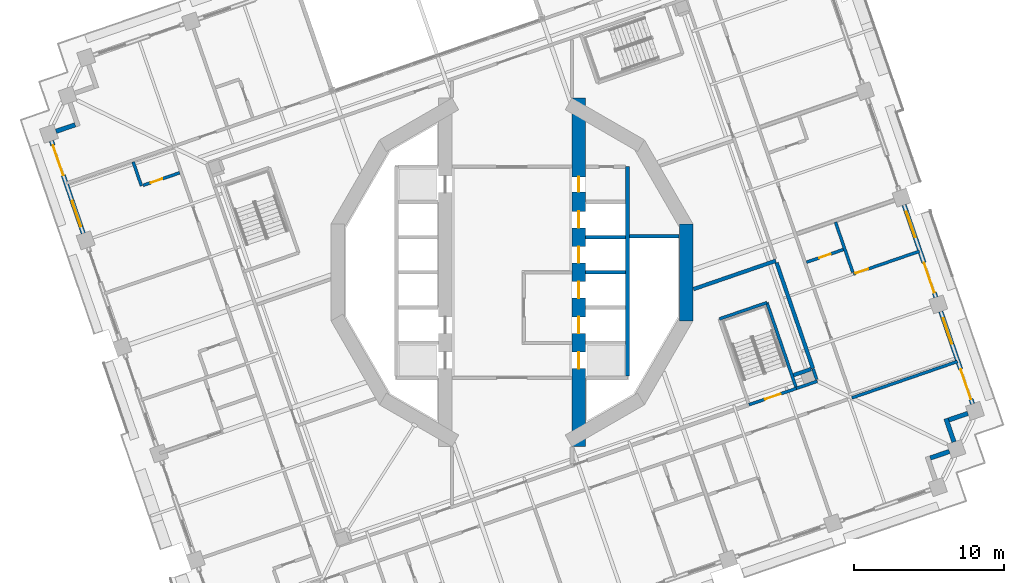
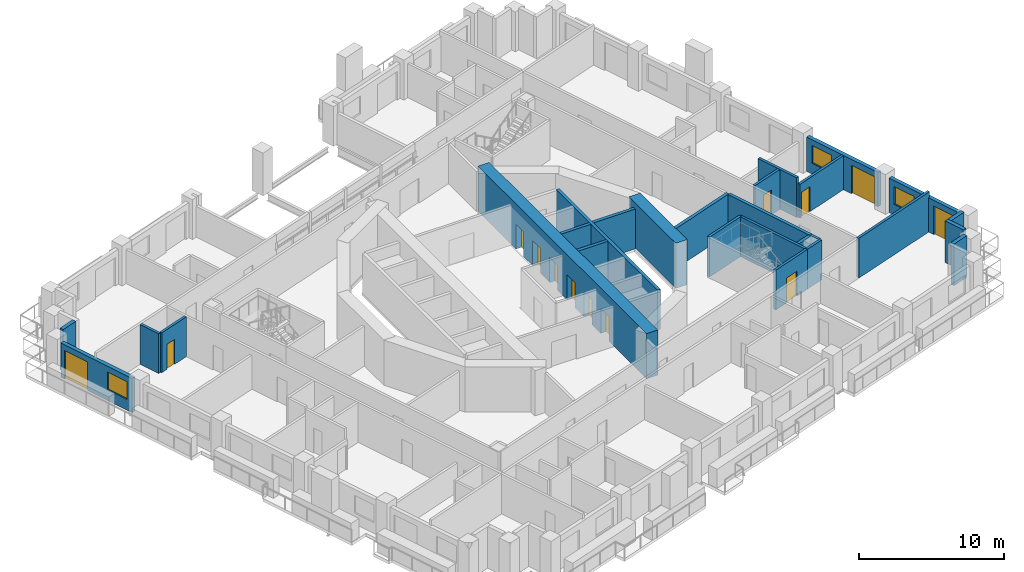
# One storey, part 10 of 22: 27 walls, 13 doors, 3 windows, 16 openings.
"""IFC4 building model written with IfcOpenShell, lengths in metres."""

from ifc_helpers import new_model, si_unit, direction, frame, frame_2d, origin, place, context, subcontext, project, spatial, rectangle, extrude, material, layer, layer_set, type_object, element, fill, save


model = new_model("IFC4")

# Units and contexts
model_context = context("Model", 3, precision=1e-05, world=origin(), true_north=direction((0.0, 1.0)))
body_context = subcontext(model_context, "Body", "Model", "MODEL_VIEW")
ifc_project = project(units=[si_unit("LENGTHUNIT", "METRE"), si_unit("AREAUNIT", "SQUARE_METRE"), si_unit("VOLUMEUNIT", "CUBIC_METRE"), si_unit("PLANEANGLEUNIT", "RADIAN"), si_unit("MASSUNIT", "GRAM", prefix="KILO")], contexts=[model_context])

# Site, building, storey
site_placement = place(None, origin())
site = spatial("IfcSite", under=ifc_project, at=site_placement, CompositionType="ELEMENT")
building_placement = place(site_placement, origin())
building = spatial("IfcBuilding", under=site, at=building_placement, Name="Cantera Rosa Tower", CompositionType="ELEMENT")
storey_placement = place(building_placement, frame((0.0, 0.0, 138.300048828125)))
storey = spatial("IfcBuildingStorey", under=building, at=storey_placement, Name="L29", CompositionType="ELEMENT", Elevation=138.300048828125)

# Walls
ifc_material_1 = material(Name="Gypsum board partition")
ifc_layer_1 = layer(ifc_material_1, 0.199951171875)
ifc_layer_set_1 = layer_set([ifc_layer_1], Name="CORRIDOR WALL 200 H3350")
wall_type_1 = type_object("IfcWallType", Name="CORRIDOR WALL 200 H3350", PredefinedType="PARTITIONING", material=ifc_layer_set_1)
wall_1_placement = place(storey_placement, frame((18.978271484375, -7.7431640625, 0.0), z_axis=(0.0, 0.0, 1.0), x_axis=(0.945529243519, 0.32553717092, 0.0)))
element("IfcWall", 1, at=wall_1_placement, inside=storey, type_object=wall_type_1, Name="CORRIDOR WALL L29-107", PredefinedType="PARTITIONING", context=body_context, shape_type="SweptSolid", body=[
    extrude(rectangle(XDim=1.4765625, YDim=0.199951171875, at=frame_2d((0.73828125, 0.0))), origin(), (0.0, 0.0, 1.0), 3.349853515625),
])
wall_2_placement = place(storey_placement, frame((20.33544921875, -7.14892578125, 0.0), z_axis=(0.0, 0.0, 1.0), x_axis=(-0.32575306004, 0.945454887276, 0.0)))
element("IfcWall", 2, at=wall_2_placement, inside=storey, type_object=wall_type_1, Name="CORRIDOR WALL L29-112", PredefinedType="PARTITIONING", context=body_context, shape_type="SweptSolid", body=[
    extrude(rectangle(XDim=0.760009765625, YDim=0.199951171875, at=frame_2d((0.3798828125, 0.0))), origin(), (0.0, 0.0, 1.0), 3.349853515625),
])
ifc_material_2 = material(Name="Hollow clay masonry with cantera stone cladding", Category="masonry")
ifc_layer_2 = layer(ifc_material_2, 0.300048828125)
ifc_layer_set_2 = layer_set([ifc_layer_2], Name="EW-LOGGIA 300")
wall_type_2 = type_object("IfcWallType", Name="EW-LOGGIA 300", PredefinedType="SOLIDWALL", material=ifc_layer_set_2)
wall_3_placement = place(storey_placement, frame((-29.14404296875, 9.84814453125, 0.0), z_axis=(0.0, 0.0, 1.0), x_axis=(-0.945526634763, -0.325544748006, 0.0)))
element("IfcWall", 3, at=wall_3_placement, inside=storey, type_object=wall_type_2, Name="EN-L29-W15b", PredefinedType="SOLIDWALL", context=body_context, shape_type="SweptSolid", body=[
    extrude(rectangle(XDim=1.349853515625, YDim=0.300048828125, at=frame_2d((0.6748046875, 0.0))), origin(), (0.0, 0.0, 1.0), 3.5),
])
wall_4_placement = place(storey_placement, frame((27.904052734375, -12.390380859375, 0.0), z_axis=(0.0, 0.0, 1.0), x_axis=(0.945545797087, 0.325489086777, 0.0)))
element("IfcWall", 4, at=wall_4_placement, inside=storey, type_object=wall_type_2, Name="EN-L29-W29b", PredefinedType="SOLIDWALL", context=body_context, shape_type="SweptSolid", body=[
    extrude(rectangle(XDim=1.35009765625, YDim=0.300048828125, at=frame_2d((0.675048828125, 0.0))), origin(), (0.0, 0.0, 1.0), 3.5),
])
wall_5_placement = place(storey_placement, frame((29.490478515625, -11.315185546875, 0.0), z_axis=(0.0, 0.0, 1.0), x_axis=(-0.32553462645, 0.945530119553, 0.0)))
element("IfcWall", 5, at=wall_5_placement, inside=storey, type_object=wall_type_2, Name="EN-L29-W30a", PredefinedType="SOLIDWALL", context=body_context, shape_type="SweptSolid", body=[
    extrude(rectangle(XDim=1.64990234375, YDim=0.300048828125, at=frame_2d((0.824951171875, 0.0))), origin(), (0.0, 0.0, 1.0), 3.5),
])
wall_6_placement = place(storey_placement, frame((29.14404296875, -9.84814453125, 0.0), z_axis=(0.0, 0.0, 1.0), x_axis=(0.945526634763, 0.325544748006, 0.0)))
element("IfcWall", 6, at=wall_6_placement, inside=storey, type_object=wall_type_2, Name="EN-L29-W30b", PredefinedType="SOLIDWALL", context=body_context, shape_type="SweptSolid", body=[
    extrude(rectangle(XDim=1.349853515625, YDim=0.300048828125, at=frame_2d((0.6748046875, 0.0))), origin(), (0.0, 0.0, 1.0), 3.5),
])

# Wall, openings, window, door
ifc_material_3 = material(Name="Hollow clay masonry with cantera stone cladding", Category="masonry")
ifc_layer_3 = layer(ifc_material_3, 0.300048828125)
ifc_layer_set_3 = layer_set([ifc_layer_3], Name="EW-LOGGIA 300 H2890")
wall_type_3 = type_object("IfcWallType", Name="EW-LOGGIA 300 H2890", PredefinedType="SOLIDWALL", material=ifc_layer_set_3)
wall_7_placement = place(storey_placement, frame((30.73046875, -8.773193359375, 0.0), z_axis=(0.0, 0.0, 1.0), x_axis=(-0.325580990241, 0.945514155787, 0.0)))
wall_7 = element("IfcWall", 7, at=wall_7_placement, inside=storey, type_object=wall_type_3, Name="EN-L29-W01", PredefinedType="SOLIDWALL", context=body_context, shape_type="SweptSolid", body=[
    extrude(rectangle(XDim=6.52001953125, YDim=0.300048828125, at=frame_2d((3.260009765625, 0.0))), origin(), (0.0, 0.0, 1.0), 2.889892578125),
])
opening_1_placement = place(wall_7_placement, frame((0.330078125, 0.0, 0.0)))
opening_1 = element("IfcOpeningElement", 8, at=opening_1_placement, cuts=wall_7, Name="Opening L29-TD01", PredefinedType="OPENING", context=body_context, shape_type="SweptSolid", body=[
    extrude(rectangle(XDim=2.10009765625, YDim=2.39990234375, at=frame_2d((1.050048828125, 1.199951171875))), frame((0.0, 0.159912109375, 0.0), z_axis=(0.0, -1.0, 0.0), x_axis=(1.0, 0.0, 0.0)), (0.0, 0.0, 1.0), 0.320068359375),
])
opening_2_placement = place(wall_7_placement, frame((4.239990234375, 0.0, 0.89990234375)))
opening_2 = element("IfcOpeningElement", 9, at=opening_2_placement, cuts=wall_7, Name="Opening L29-W02", PredefinedType="OPENING", context=body_context, shape_type="SweptSolid", body=[
    extrude(rectangle(XDim=1.800048828125, YDim=1.5, at=frame_2d((0.89990234375, 0.75))), frame((0.0, 0.159912109375, 0.0), z_axis=(0.0, -1.0, 0.0), x_axis=(1.0, 0.0, 0.0)), (0.0, 0.0, 1.0), 0.320068359375),
])
ifc_material_4 = material(Name="Aluminium frame with clear glass", Category="aluminium")
window_type = type_object("IfcWindowType", Name="Hotel room window 1800x1500", PartitioningType="DOUBLE_PANEL_VERTICAL", PredefinedType="WINDOW", material=ifc_material_4)
window_1_placement = place(opening_2_placement, origin())
window_1 = element("IfcWindow", 10, at=window_1_placement, inside=storey, type_object=window_type, Name="WINDOW L29-W02", OverallHeight=1.5, OverallWidth=1.800048828125, PartitioningType="SINGLE_PANEL", PredefinedType="WINDOW", context=body_context, shape_type="SweptSolid", body=[
    extrude(rectangle(XDim=1.800048828125, YDim=1.5, at=frame_2d((0.89990234375, 0.75))), frame((0.0, 0.030029296875, 0.0), z_axis=(0.0, -1.0, 0.0), x_axis=(1.0, 0.0, 0.0)), (0.0, 0.0, 1.0), 0.06005859375),
])
fill(opening_2, window_1)
ifc_material_5 = material(Name="Aluminium frame with clear glass", Category="aluminium")
door_type_1 = type_object("IfcDoorType", Name="TD-H 2100x2400", OperationType="NOTDEFINED", PredefinedType="DOOR", material=ifc_material_5)
door_1_placement = place(opening_1_placement, origin())
door_1 = element("IfcDoor", 11, at=door_1_placement, inside=storey, type_object=door_type_1, Name="LOGGIA DOOR L29-TD01", OperationType="SLIDING_TO_LEFT", OverallHeight=2.39990234375, OverallWidth=2.10009765625, PredefinedType="DOOR", context=body_context, shape_type="SweptSolid", body=[
    extrude(rectangle(XDim=2.10009765625, YDim=2.39990234375, at=frame_2d((1.050048828125, 1.199951171875))), frame((0.0, 0.02490234375, 0.0), z_axis=(0.0, -1.0, 0.0), x_axis=(1.0, 0.0, 0.0)), (0.0, 0.0, 1.0), 0.050048828125),
])
fill(opening_1, door_1)

wall_8_placement = place(storey_placement, frame((28.2822265625, -1.662841796875, 0.0), z_axis=(0.0, 0.0, 1.0), x_axis=(-0.325580990241, 0.945514155787, 0.0)))
wall_8 = element("IfcWall", 12, at=wall_8_placement, inside=storey, type_object=wall_type_3, Name="EN-L29-W02", PredefinedType="SOLIDWALL", context=body_context, shape_type="SweptSolid", body=[
    extrude(rectangle(XDim=6.52001953125, YDim=0.300048828125, at=frame_2d((3.260009765625, 0.0))), origin(), (0.0, 0.0, 1.0), 2.889892578125),
])
opening_3_placement = place(wall_8_placement, frame((0.330078125, 0.0, 0.0)))
opening_3 = element("IfcOpeningElement", 13, at=opening_3_placement, cuts=wall_8, Name="Opening L29-TD03", PredefinedType="OPENING", context=body_context, shape_type="SweptSolid", body=[
    extrude(rectangle(XDim=2.10009765625, YDim=2.39990234375, at=frame_2d((1.050048828125, 1.199951171875))), frame((0.0, 0.159912109375, 0.0), z_axis=(0.0, -1.0, 0.0), x_axis=(1.0, 0.0, 0.0)), (0.0, 0.0, 1.0), 0.320068359375),
])
opening_4_placement = place(wall_8_placement, frame((4.239990234375, 0.0, 0.89990234375)))
opening_4 = element("IfcOpeningElement", 14, at=opening_4_placement, cuts=wall_8, Name="Opening L29-W04", PredefinedType="OPENING", context=body_context, shape_type="SweptSolid", body=[
    extrude(rectangle(XDim=1.800048828125, YDim=1.5, at=frame_2d((0.89990234375, 0.75))), frame((0.0, 0.159912109375, 0.0), z_axis=(0.0, -1.0, 0.0), x_axis=(1.0, 0.0, 0.0)), (0.0, 0.0, 1.0), 0.320068359375),
])
window_2_placement = place(opening_4_placement, origin())
window_2 = element("IfcWindow", 15, at=window_2_placement, inside=storey, type_object=window_type, Name="WINDOW L29-W04", OverallHeight=1.5, OverallWidth=1.800048828125, PartitioningType="SINGLE_PANEL", PredefinedType="WINDOW", context=body_context, shape_type="SweptSolid", body=[
    extrude(rectangle(XDim=1.800048828125, YDim=1.5, at=frame_2d((0.89990234375, 0.75))), frame((0.0, 0.030029296875, 0.0), z_axis=(0.0, -1.0, 0.0), x_axis=(1.0, 0.0, 0.0)), (0.0, 0.0, 1.0), 0.06005859375),
])
fill(opening_4, window_2)
door_2_placement = place(opening_3_placement, origin())
door_2 = element("IfcDoor", 16, at=door_2_placement, inside=storey, type_object=door_type_1, Name="LOGGIA DOOR L29-TD03", OperationType="SLIDING_TO_LEFT", OverallHeight=2.39990234375, OverallWidth=2.10009765625, PredefinedType="DOOR", context=body_context, shape_type="SweptSolid", body=[
    extrude(rectangle(XDim=2.10009765625, YDim=2.39990234375, at=frame_2d((1.050048828125, 1.199951171875))), frame((0.0, 0.02490234375, 0.0), z_axis=(0.0, -1.0, 0.0), x_axis=(1.0, 0.0, 0.0)), (0.0, 0.0, 1.0), 0.050048828125),
])
fill(opening_3, door_2)

wall_9_placement = place(storey_placement, frame((-30.73046875, 8.773193359375, 0.0), z_axis=(0.0, 0.0, 1.0), x_axis=(0.325580990241, -0.945514155787, 0.0)))
wall_9 = element("IfcWall", 17, at=wall_9_placement, inside=storey, type_object=wall_type_3, Name="EN-L29-W16", PredefinedType="SOLIDWALL", context=body_context, shape_type="SweptSolid", body=[
    extrude(rectangle(XDim=6.52001953125, YDim=0.300048828125, at=frame_2d((3.260009765625, 0.0))), origin(), (0.0, 0.0, 1.0), 2.889892578125),
])
opening_5_placement = place(wall_9_placement, frame((0.330078125, 0.0, 0.0)))
opening_5 = element("IfcOpeningElement", 18, at=opening_5_placement, cuts=wall_9, Name="Opening L29-TD19", PredefinedType="OPENING", context=body_context, shape_type="SweptSolid", body=[
    extrude(rectangle(XDim=2.10009765625, YDim=2.39990234375, at=frame_2d((1.050048828125, 1.199951171875))), frame((0.0, 0.159912109375, 0.0), z_axis=(0.0, -1.0, 0.0), x_axis=(1.0, 0.0, 0.0)), (0.0, 0.0, 1.0), 0.320068359375),
])
opening_6_placement = place(wall_9_placement, frame((4.239990234375, 0.0, 0.89990234375)))
opening_6 = element("IfcOpeningElement", 19, at=opening_6_placement, cuts=wall_9, Name="Opening L29-W20", PredefinedType="OPENING", context=body_context, shape_type="SweptSolid", body=[
    extrude(rectangle(XDim=1.800048828125, YDim=1.5, at=frame_2d((0.89990234375, 0.75))), frame((0.0, 0.159912109375, 0.0), z_axis=(0.0, -1.0, 0.0), x_axis=(1.0, 0.0, 0.0)), (0.0, 0.0, 1.0), 0.320068359375),
])
window_3_placement = place(opening_6_placement, origin())
window_3 = element("IfcWindow", 20, at=window_3_placement, inside=storey, type_object=window_type, Name="WINDOW L29-W20", OverallHeight=1.5, OverallWidth=1.800048828125, PartitioningType="SINGLE_PANEL", PredefinedType="WINDOW", context=body_context, shape_type="SweptSolid", body=[
    extrude(rectangle(XDim=1.800048828125, YDim=1.5, at=frame_2d((0.89990234375, 0.75))), frame((0.0, 0.030029296875, 0.0), z_axis=(0.0, -1.0, 0.0), x_axis=(1.0, 0.0, 0.0)), (0.0, 0.0, 1.0), 0.06005859375),
])
fill(opening_6, window_3)
door_3_placement = place(opening_5_placement, origin())
door_3 = element("IfcDoor", 21, at=door_3_placement, inside=storey, type_object=door_type_1, Name="LOGGIA DOOR L29-TD19", OperationType="SLIDING_TO_LEFT", OverallHeight=2.39990234375, OverallWidth=2.10009765625, PredefinedType="DOOR", context=body_context, shape_type="SweptSolid", body=[
    extrude(rectangle(XDim=2.10009765625, YDim=2.39990234375, at=frame_2d((1.050048828125, 1.199951171875))), frame((0.0, 0.02490234375, 0.0), z_axis=(0.0, -1.0, 0.0), x_axis=(1.0, 0.0, 0.0)), (0.0, 0.0, 1.0), 0.050048828125),
])
fill(opening_5, door_3)

# Wall, opening, door
ifc_material_6 = material(Name="Gypsum board partition")
ifc_layer_4 = layer(ifc_material_6, 0.199951171875)
ifc_layer_set_4 = layer_set([ifc_layer_4], Name="PARTITION 200 H2850")
wall_type_4 = type_object("IfcWallType", Name="PARTITION 200 H2850", PredefinedType="PARTITIONING", material=ifc_layer_set_4)
wall_10_placement = place(storey_placement, frame((27.1923828125, 1.409912109375, 0.0), z_axis=(0.0, 0.0, 1.0), x_axis=(-0.945510677122, -0.325591092398, 0.0)))
wall_10 = element("IfcWall", 22, at=wall_10_placement, inside=storey, type_object=wall_type_4, Name="PARTITION L29-116", PredefinedType="PARTITIONING", context=body_context, shape_type="SweptSolid", body=[
    extrude(rectangle(XDim=4.669921875, YDim=0.199951171875, at=frame_2d((2.3349609375, 0.0))), origin(), (0.0, 0.0, 1.0), 2.849853515625),
])
opening_7_placement = place(wall_10_placement, frame((3.6201171875, 0.0, 0.0)))
opening_7 = element("IfcOpeningElement", 23, at=opening_7_placement, cuts=wall_10, Name="Opening L29-018", PredefinedType="OPENING", context=body_context, shape_type="SweptSolid", body=[
    extrude(rectangle(XDim=0.89990234375, YDim=2.10009765625, at=frame_2d((0.449951171875, 1.050048828125))), frame((0.0, 0.10986328125, 0.0), z_axis=(0.0, -1.0, 0.0), x_axis=(1.0, 0.0, 0.0)), (0.0, 0.0, 1.0), 0.219970703125),
])
ifc_material_7 = material(Name="Timber door leaf", Category="wood")
door_type_2 = type_object("IfcDoorType", Name="ROOM DOOR 900x2100", OperationType="NOTDEFINED", PredefinedType="DOOR", material=ifc_material_7)
door_4_placement = place(opening_7_placement, origin())
door_4 = element("IfcDoor", 24, at=door_4_placement, inside=storey, type_object=door_type_2, Name="DOOR L29-018", OperationType="NOTDEFINED", OverallHeight=2.10009765625, OverallWidth=0.89990234375, PredefinedType="DOOR", context=body_context, shape_type="SweptSolid", body=[
    extrude(rectangle(XDim=0.89990234375, YDim=2.10009765625, at=frame_2d((0.449951171875, 1.050048828125))), frame((0.0, 0.02490234375, 0.0), z_axis=(0.0, -1.0, 0.0), x_axis=(1.0, 0.0, 0.0)), (0.0, 0.0, 1.0), 0.050048828125),
])
fill(opening_7, door_4)

# Wall
ifc_material_8 = material(Name="Gypsum board partition")
ifc_layer_5 = layer(ifc_material_8, 0.199951171875)
ifc_layer_set_5 = layer_set([ifc_layer_5], Name="PARTITION 200 H3350")
wall_type_5 = type_object("IfcWallType", Name="PARTITION 200 H3350", PredefinedType="PARTITIONING", material=ifc_layer_set_5)
wall_11_placement = place(storey_placement, frame((-24.723876953125, 5.764892578125, 0.0), z_axis=(0.0, 0.0, 1.0), x_axis=(-0.325561349174, 0.945520918819, 0.0)))
element("IfcWall", 25, at=wall_11_placement, inside=storey, type_object=wall_type_5, Name="PARTITION L29-001", PredefinedType="PARTITIONING", context=body_context, shape_type="SweptSolid", body=[
    extrude(rectangle(XDim=1.699951171875, YDim=0.199951171875, at=frame_2d((0.85009765625, 0.0))), origin(), (0.0, 0.0, 1.0), 3.349853515625),
])

# Wall, opening, door
wall_12_placement = place(storey_placement, frame((-22.1708984375, 6.643798828125, 0.0), z_axis=(0.0, 0.0, 1.0), x_axis=(-0.945533766078, -0.325524034759, 0.0)))
wall_12 = element("IfcWall", 26, at=wall_12_placement, inside=storey, type_object=wall_type_5, Name="PARTITION L29-004", PredefinedType="PARTITIONING", context=body_context, shape_type="SweptSolid", body=[
    extrude(rectangle(XDim=2.580078125, YDim=0.199951171875, at=frame_2d((1.2900390625, 0.0))), origin(), (0.0, 0.0, 1.0), 3.349853515625),
])
opening_8_placement = place(wall_12_placement, frame((1.236083984375, 0.0, 0.0)))
opening_8 = element("IfcOpeningElement", 27, at=opening_8_placement, cuts=wall_12, Name="Opening L29-031", PredefinedType="OPENING", context=body_context, shape_type="SweptSolid", body=[
    extrude(rectangle(XDim=0.800048828125, YDim=2.10009765625, at=frame_2d((0.39990234375, 1.050048828125))), frame((0.0, 0.10986328125, 0.0), z_axis=(0.0, -1.0, 0.0), x_axis=(1.0, 0.0, 0.0)), (0.0, 0.0, 1.0), 0.219970703125),
])
ifc_material_9 = material(Name="Timber door leaf", Category="wood")
door_type_3 = type_object("IfcDoorType", Name="BATHROOM DOOR 800x2100", OperationType="NOTDEFINED", PredefinedType="DOOR", material=ifc_material_9)
door_5_placement = place(opening_8_placement, origin())
door_5 = element("IfcDoor", 28, at=door_5_placement, inside=storey, type_object=door_type_3, Name="DOOR L29-031", OperationType="NOTDEFINED", OverallHeight=2.10009765625, OverallWidth=0.800048828125, PredefinedType="DOOR", context=body_context, shape_type="SweptSolid", body=[
    extrude(rectangle(XDim=0.800048828125, YDim=2.10009765625, at=frame_2d((0.39990234375, 1.050048828125))), frame((0.0, 0.02490234375, 0.0), z_axis=(0.0, -1.0, 0.0), x_axis=(1.0, 0.0, 0.0)), (0.0, 0.0, 1.0), 0.050048828125),
])
fill(opening_8, door_5)

# Wall
wall_13_placement = place(storey_placement, frame((21.585205078125, 3.35009765625, 0.0), z_axis=(0.0, 0.0, 1.0), x_axis=(0.325584704023, -0.945512876965, 0.0)))
element("IfcWall", 29, at=wall_13_placement, inside=storey, type_object=wall_type_5, Name="PARTITION L29-113", PredefinedType="PARTITIONING", context=body_context, shape_type="SweptSolid", body=[
    extrude(rectangle(XDim=3.5400390625, YDim=0.199951171875, at=frame_2d((1.77001953125, 0.0))), origin(), (0.0, 0.0, 1.0), 3.349853515625),
])

# Wall, opening, door
wall_14_placement = place(storey_placement, frame((22.109375, 1.52099609375, 0.0), z_axis=(0.0, 0.0, 1.0), x_axis=(-0.945529531574, -0.325536334257, 0.0)))
wall_14 = element("IfcWall", 30, at=wall_14_placement, inside=storey, type_object=wall_type_5, Name="PARTITION L29-114", PredefinedType="PARTITIONING", context=body_context, shape_type="SweptSolid", body=[
    extrude(rectangle(XDim=2.60009765625, YDim=0.199951171875, at=frame_2d((1.300048828125, 0.0))), origin(), (0.0, 0.0, 1.0), 3.349853515625),
])
opening_9_placement = place(wall_14_placement, frame((0.89990234375, 0.0, 0.0)))
opening_9 = element("IfcOpeningElement", 31, at=opening_9_placement, cuts=wall_14, Name="Opening L29-017", PredefinedType="OPENING", context=body_context, shape_type="SweptSolid", body=[
    extrude(rectangle(XDim=0.800048828125, YDim=2.10009765625, at=frame_2d((0.39990234375, 1.050048828125))), frame((0.0, 0.10986328125, 0.0), z_axis=(0.0, -1.0, 0.0), x_axis=(1.0, 0.0, 0.0)), (0.0, 0.0, 1.0), 0.219970703125),
])
door_6_placement = place(opening_9_placement, origin())
door_6 = element("IfcDoor", 32, at=door_6_placement, inside=storey, type_object=door_type_3, Name="DOOR L29-017", OperationType="NOTDEFINED", OverallHeight=2.10009765625, OverallWidth=0.800048828125, PredefinedType="DOOR", context=body_context, shape_type="SweptSolid", body=[
    extrude(rectangle(XDim=0.800048828125, YDim=2.10009765625, at=frame_2d((0.39990234375, 1.050048828125))), frame((0.0, 0.02490234375, 0.0), z_axis=(0.0, -1.0, 0.0), x_axis=(1.0, 0.0, 0.0)), (0.0, 0.0, 1.0), 0.050048828125),
])
fill(opening_9, door_6)

# Walls
ifc_material_10 = material(Name="Gypsum board partition")
ifc_layer_6 = layer(ifc_material_10, 0.199951171875)
ifc_layer_set_6 = layer_set([ifc_layer_6], Name="PARTY WALL 200 H3350")
wall_type_6 = type_object("IfcWallType", Name="PARTY WALL 200 H3350", PredefinedType="PARTITIONING", material=ifc_layer_set_6)
wall_15_placement = place(storey_placement, frame((29.725341796875, -5.9462890625, 0.0), z_axis=(0.0, 0.0, 1.0), x_axis=(-0.945513938048, -0.325581622574, 0.0)))
element("IfcWall", 33, at=wall_15_placement, inside=storey, type_object=wall_type_6, Name="PARTY WALL L29-117", PredefinedType="PARTITIONING", context=body_context, shape_type="SweptSolid", body=[
    extrude(rectangle(XDim=7.449951171875, YDim=0.199951171875, at=frame_2d((3.72509765625, 0.0))), origin(), (0.0, 0.0, 1.0), 3.349853515625),
])
ifc_material_11 = material(Name="Concrete C70/85", Category="concrete")
ifc_layer_7 = layer(ifc_material_11, 0.89990234375)
ifc_layer_set_7 = layer_set([ifc_layer_7], Name="RC CORE WALL 900 C70/85")
wall_type_7 = type_object("IfcWallType", Name="RC CORE WALL 900 C70/85", PredefinedType="SHEAR", material=ifc_layer_set_7)
wall_16_placement = place(storey_placement, frame((11.6240234375, 3.2353515625, 0.0), z_axis=(0.0, 0.0, 1.0), x_axis=(0.0, -1.0, 0.0)))
element("IfcWall", 34, at=wall_16_placement, inside=storey, type_object=wall_type_7, Name="CW-E3 L29", PredefinedType="SHEAR", context=body_context, shape_type="SweptSolid", body=[
    extrude(rectangle(XDim=6.470703125, YDim=0.89990234375, at=frame_2d((3.2353515625, 0.0))), origin(), (0.0, 0.0, 1.0), 3.800048828125),
])

# Wall, openings, doors
wall_17_placement = place(storey_placement, frame((4.449951171875, -11.632568359375, 0.0), z_axis=(0.0, 0.0, 1.0), x_axis=(0.0, 1.0, 0.0)))
wall_17 = element("IfcWall", 35, at=wall_17_placement, inside=storey, type_object=wall_type_7, Name="CW-E6 L29", PredefinedType="SHEAR", context=body_context, shape_type="SweptSolid", body=[
    extrude(rectangle(XDim=23.26513671875, YDim=0.89990234375, at=frame_2d((11.632568359375, 0.0))), origin(), (0.0, 0.0, 1.0), 3.800048828125),
])
opening_10_placement = place(wall_17_placement, frame((7.5576171875, 0.0, 0.0)))
opening_10 = element("IfcOpeningElement", 36, at=opening_10_placement, cuts=wall_17, Name="Opening LD-FF1-L29", PredefinedType="OPENING", context=body_context, shape_type="SweptSolid", body=[
    extrude(rectangle(XDim=1.10009765625, YDim=2.10009765625, at=frame_2d((0.550048828125, 1.050048828125))), frame((0.0, 0.4599609375, 0.0), z_axis=(0.0, -1.0, 0.0), x_axis=(1.0, 0.0, 0.0)), (0.0, 0.0, 1.0), 0.919921875),
])
opening_11_placement = place(wall_17_placement, frame((9.907470703125, 0.0, 0.0)))
opening_11 = element("IfcOpeningElement", 37, at=opening_11_placement, cuts=wall_17, Name="Opening LD-FF2-L29", PredefinedType="OPENING", context=body_context, shape_type="SweptSolid", body=[
    extrude(rectangle(XDim=1.10009765625, YDim=2.10009765625, at=frame_2d((0.550048828125, 1.050048828125))), frame((0.0, 0.4599609375, 0.0), z_axis=(0.0, -1.0, 0.0), x_axis=(1.0, 0.0, 0.0)), (0.0, 0.0, 1.0), 0.919921875),
])
opening_12_placement = place(wall_17_placement, frame((12.257568359375, 0.0, 0.0)))
opening_12 = element("IfcOpeningElement", 38, at=opening_12_placement, cuts=wall_17, Name="Opening LD-P1-L29", PredefinedType="OPENING", context=body_context, shape_type="SweptSolid", body=[
    extrude(rectangle(XDim=1.10009765625, YDim=2.10009765625, at=frame_2d((0.550048828125, 1.050048828125))), frame((0.0, 0.4599609375, 0.0), z_axis=(0.0, -1.0, 0.0), x_axis=(1.0, 0.0, 0.0)), (0.0, 0.0, 1.0), 0.919921875),
])
opening_13_placement = place(wall_17_placement, frame((14.607421875, 0.0, 0.0)))
opening_13 = element("IfcOpeningElement", 39, at=opening_13_placement, cuts=wall_17, Name="Opening LD-P2-L29", PredefinedType="OPENING", context=body_context, shape_type="SweptSolid", body=[
    extrude(rectangle(XDim=1.10009765625, YDim=2.10009765625, at=frame_2d((0.550048828125, 1.050048828125))), frame((0.0, 0.4599609375, 0.0), z_axis=(0.0, -1.0, 0.0), x_axis=(1.0, 0.0, 0.0)), (0.0, 0.0, 1.0), 0.919921875),
])
opening_14_placement = place(wall_17_placement, frame((5.20751953125, 0.0, 0.0)))
opening_14 = element("IfcOpeningElement", 40, at=opening_14_placement, cuts=wall_17, Name="Opening LD-P6-L29", PredefinedType="OPENING", context=body_context, shape_type="SweptSolid", body=[
    extrude(rectangle(XDim=1.10009765625, YDim=2.10009765625, at=frame_2d((0.550048828125, 1.050048828125))), frame((0.0, 0.4599609375, 0.0), z_axis=(0.0, -1.0, 0.0), x_axis=(1.0, 0.0, 0.0)), (0.0, 0.0, 1.0), 0.919921875),
])
opening_15_placement = place(wall_17_placement, frame((17.007568359375, 0.0, 0.0)))
opening_15 = element("IfcOpeningElement", 41, at=opening_15_placement, cuts=wall_17, Name="Opening SD-L29-15", PredefinedType="OPENING", context=body_context, shape_type="SweptSolid", body=[
    extrude(rectangle(XDim=1.0, YDim=2.10009765625, at=frame_2d((0.5, 1.050048828125))), frame((0.0, 0.4599609375, 0.0), z_axis=(0.0, -1.0, 0.0), x_axis=(1.0, 0.0, 0.0)), (0.0, 0.0, 1.0), 0.919921875),
])
ifc_material_12 = material(Name="Steel S355J2 (EN 10025-2)", Category="steel")
door_type_4 = type_object("IfcDoorType", Name="LANDING DOOR 1100x2100", OperationType="NOTDEFINED", PredefinedType="DOOR", material=ifc_material_12)
door_7_placement = place(opening_10_placement, origin())
door_7 = element("IfcDoor", 42, at=door_7_placement, inside=storey, type_object=door_type_4, Name="LANDING DOOR FF1 L29", OperationType="SLIDING_TO_LEFT", OverallHeight=2.10009765625, OverallWidth=1.10009765625, PredefinedType="DOOR", context=body_context, shape_type="SweptSolid", body=[
    extrude(rectangle(XDim=1.10009765625, YDim=2.10009765625, at=frame_2d((0.550048828125, 1.050048828125))), frame((0.0, 0.02490234375, 0.0), z_axis=(0.0, -1.0, 0.0), x_axis=(1.0, 0.0, 0.0)), (0.0, 0.0, 1.0), 0.050048828125),
])
fill(opening_10, door_7)
door_8_placement = place(opening_11_placement, origin())
door_8 = element("IfcDoor", 43, at=door_8_placement, inside=storey, type_object=door_type_4, Name="LANDING DOOR FF2 L29", OperationType="SLIDING_TO_LEFT", OverallHeight=2.10009765625, OverallWidth=1.10009765625, PredefinedType="DOOR", context=body_context, shape_type="SweptSolid", body=[
    extrude(rectangle(XDim=1.10009765625, YDim=2.10009765625, at=frame_2d((0.550048828125, 1.050048828125))), frame((0.0, 0.02490234375, 0.0), z_axis=(0.0, -1.0, 0.0), x_axis=(1.0, 0.0, 0.0)), (0.0, 0.0, 1.0), 0.050048828125),
])
fill(opening_11, door_8)
door_9_placement = place(opening_12_placement, origin())
door_9 = element("IfcDoor", 44, at=door_9_placement, inside=storey, type_object=door_type_4, Name="LANDING DOOR P1 L29", OperationType="SLIDING_TO_LEFT", OverallHeight=2.10009765625, OverallWidth=1.10009765625, PredefinedType="DOOR", context=body_context, shape_type="SweptSolid", body=[
    extrude(rectangle(XDim=1.10009765625, YDim=2.10009765625, at=frame_2d((0.550048828125, 1.050048828125))), frame((0.0, 0.02490234375, 0.0), z_axis=(0.0, -1.0, 0.0), x_axis=(1.0, 0.0, 0.0)), (0.0, 0.0, 1.0), 0.050048828125),
])
fill(opening_12, door_9)
door_10_placement = place(opening_13_placement, origin())
door_10 = element("IfcDoor", 45, at=door_10_placement, inside=storey, type_object=door_type_4, Name="LANDING DOOR P2 L29", OperationType="SLIDING_TO_LEFT", OverallHeight=2.10009765625, OverallWidth=1.10009765625, PredefinedType="DOOR", context=body_context, shape_type="SweptSolid", body=[
    extrude(rectangle(XDim=1.10009765625, YDim=2.10009765625, at=frame_2d((0.550048828125, 1.050048828125))), frame((0.0, 0.02490234375, 0.0), z_axis=(0.0, -1.0, 0.0), x_axis=(1.0, 0.0, 0.0)), (0.0, 0.0, 1.0), 0.050048828125),
])
fill(opening_13, door_10)
door_11_placement = place(opening_14_placement, origin())
door_11 = element("IfcDoor", 46, at=door_11_placement, inside=storey, type_object=door_type_4, Name="LANDING DOOR P6 L29", OperationType="SLIDING_TO_LEFT", OverallHeight=2.10009765625, OverallWidth=1.10009765625, PredefinedType="DOOR", context=body_context, shape_type="SweptSolid", body=[
    extrude(rectangle(XDim=1.10009765625, YDim=2.10009765625, at=frame_2d((0.550048828125, 1.050048828125))), frame((0.0, 0.02490234375, 0.0), z_axis=(0.0, -1.0, 0.0), x_axis=(1.0, 0.0, 0.0)), (0.0, 0.0, 1.0), 0.050048828125),
])
fill(opening_14, door_11)
ifc_material_13 = material(Name="Timber door leaf", Category="wood")
door_type_5 = type_object("IfcDoorType", Name="SERVICE DOOR 1000x2100", OperationType="NOTDEFINED", PredefinedType="DOOR", material=ifc_material_13)
door_12_placement = place(opening_15_placement, origin())
door_12 = element("IfcDoor", 47, at=door_12_placement, inside=storey, type_object=door_type_5, Name="DOOR L29-SD15", OperationType="NOTDEFINED", OverallHeight=2.10009765625, OverallWidth=1.0, PredefinedType="DOOR", context=body_context, shape_type="SweptSolid", body=[
    extrude(rectangle(XDim=1.0, YDim=2.10009765625, at=frame_2d((0.5, 1.050048828125))), frame((0.0, 0.02490234375, 0.0), z_axis=(0.0, -1.0, 0.0), x_axis=(1.0, 0.0, 0.0)), (0.0, 0.0, 1.0), 0.050048828125),
])
fill(opening_15, door_12)

# Walls
ifc_material_14 = material(Name="Masonry blockwork", Category="masonry")
ifc_layer_8 = layer(ifc_material_14, 0.25)
ifc_layer_set_8 = layer_set([ifc_layer_8], Name="SHAFT WALL 250 H3350")
wall_type_8 = type_object("IfcWallType", Name="SHAFT WALL 250 H3350", PredefinedType="SOLIDWALL", material=ifc_layer_set_8)
wall_18_placement = place(storey_placement, frame((4.89990234375, 0.0, 0.0), z_axis=(0.0, 0.0, 1.0), x_axis=(1.0, 0.0, 0.0)))
element("IfcWall", 48, at=wall_18_placement, inside=storey, type_object=wall_type_8, Name="SHAFT WALL L29-065", PredefinedType="SOLIDWALL", context=body_context, shape_type="SweptSolid", body=[
    extrude(rectangle(XDim=2.675048828125, YDim=0.25, at=frame_2d((1.33740234375, 0.0))), origin(), (0.0, 0.0, 1.0), 3.349853515625),
])
wall_19_placement = place(storey_placement, frame((7.699951171875, -6.929931640625, 0.0), z_axis=(0.0, 0.0, 1.0), x_axis=(0.0, 1.0, 0.0)))
element("IfcWall", 49, at=wall_19_placement, inside=storey, type_object=wall_type_8, Name="SHAFT WALL L29-071", PredefinedType="SOLIDWALL", context=body_context, shape_type="SweptSolid", body=[
    extrude(rectangle(XDim=13.97998046875, YDim=0.25, at=frame_2d((6.989990234375, 0.0))), origin(), (0.0, 0.0, 1.0), 3.349853515625),
])
wall_20_placement = place(storey_placement, frame((7.574951171875, 2.35009765625, 0.0), z_axis=(0.0, 0.0, 1.0), x_axis=(-1.0, 0.0, 0.0)))
element("IfcWall", 50, at=wall_20_placement, inside=storey, type_object=wall_type_8, Name="SHAFT WALL L29-073", PredefinedType="SOLIDWALL", context=body_context, shape_type="SweptSolid", body=[
    extrude(rectangle(XDim=2.675048828125, YDim=0.25, at=frame_2d((1.33740234375, 0.0))), origin(), (0.0, 0.0, 1.0), 3.349853515625),
])
wall_21_placement = place(storey_placement, frame((7.824951171875, 2.417724609375, 0.0), z_axis=(0.0, 0.0, 1.0), x_axis=(1.0, 0.0, 0.0)))
element("IfcWall", 51, at=wall_21_placement, inside=storey, type_object=wall_type_8, Name="SHAFT WALL L29-074", PredefinedType="SOLIDWALL", context=body_context, shape_type="SweptSolid", body=[
    extrude(rectangle(XDim=3.319091796875, YDim=0.25, at=frame_2d((1.65966796875, 0.0))), origin(), (0.0, 0.0, 1.0), 3.349853515625),
])
wall_22_placement = place(storey_placement, frame((12.10400390625, -1.120361328125, 0.0), z_axis=(0.0, 0.0, 1.0), x_axis=(0.945524886184, 0.325549826612, 0.0)))
element("IfcWall", 52, at=wall_22_placement, inside=storey, type_object=wall_type_8, Name="SHAFT WALL L29-087", PredefinedType="SOLIDWALL", context=body_context, shape_type="SweptSolid", body=[
    extrude(rectangle(XDim=5.8203125, YDim=0.25, at=frame_2d((2.91015625, 0.0))), origin(), (0.0, 0.0, 1.0), 3.349853515625),
])
wall_23_placement = place(storey_placement, frame((20.081298828125, -6.411376953125, 0.0), z_axis=(0.0, 0.0, 1.0), x_axis=(-0.32556905925, 0.945518264054, 0.0)))
element("IfcWall", 53, at=wall_23_placement, inside=storey, type_object=wall_type_8, Name="SHAFT WALL L29-110", PredefinedType="SOLIDWALL", context=body_context, shape_type="SweptSolid", body=[
    extrude(rectangle(XDim=7.4599609375, YDim=0.25, at=frame_2d((3.72998046875, 0.0))), origin(), (0.0, 0.0, 1.0), 3.349853515625),
])
wall_24_placement = place(storey_placement, frame((19.94921875, -6.45703125, 0.0), z_axis=(0.0, 0.0, 1.0), x_axis=(-0.945538581865, -0.325510046241, 0.0)))
element("IfcWall", 54, at=wall_24_placement, inside=storey, type_object=wall_type_8, Name="SHAFT WALL L29-111", PredefinedType="SOLIDWALL", context=body_context, shape_type="SweptSolid", body=[
    extrude(rectangle(XDim=1.23681640625, YDim=0.25, at=frame_2d((0.618408203125, 0.0))), origin(), (0.0, 0.0, 1.0), 3.349853515625),
])

# Wall, opening, door
ifc_material_15 = material(Name="Concrete C50/60", Category="concrete")
ifc_layer_9 = layer(ifc_material_15, 0.199951171875)
ifc_layer_set_9 = layer_set([ifc_layer_9], Name="STAIR WALL 200 H3350")
wall_type_9 = type_object("IfcWallType", Name="STAIR WALL 200 H3350", PredefinedType="SOLIDWALL", material=ifc_layer_set_9)
wall_25_placement = place(storey_placement, frame((15.810791015625, -8.833740234375, 0.0), z_axis=(0.0, 0.0, 1.0), x_axis=(0.945525450469, 0.325548187702, 0.0)))
wall_25 = element("IfcWall", 55, at=wall_25_placement, inside=storey, type_object=wall_type_9, Name="STAIR WALL L29-099", PredefinedType="SOLIDWALL", context=body_context, shape_type="SweptSolid", body=[
    extrude(rectangle(XDim=3.349853515625, YDim=0.199951171875, at=frame_2d((1.6748046875, 0.0))), origin(), (0.0, 0.0, 1.0), 3.349853515625),
])
opening_16_placement = place(wall_25_placement, frame((1.125, 0.0, 0.0)))
opening_16 = element("IfcOpeningElement", 56, at=opening_16_placement, cuts=wall_25, Name="Opening L29-003", PredefinedType="OPENING", context=body_context, shape_type="SweptSolid", body=[
    extrude(rectangle(XDim=1.10009765625, YDim=2.10009765625, at=frame_2d((0.550048828125, 1.050048828125))), frame((0.0, 0.10986328125, 0.0), z_axis=(0.0, -1.0, 0.0), x_axis=(1.0, 0.0, 0.0)), (0.0, 0.0, 1.0), 0.219970703125),
])
ifc_material_16 = material(Name="Steel S355J2 (EN 10025-2)", Category="steel")
door_type_6 = type_object("IfcDoorType", Name="STAIR DOOR 1100x2100", OperationType="NOTDEFINED", PredefinedType="DOOR", material=ifc_material_16)
door_13_placement = place(opening_16_placement, origin())
door_13 = element("IfcDoor", 57, at=door_13_placement, inside=storey, type_object=door_type_6, Name="DOOR L29-003", OperationType="NOTDEFINED", OverallHeight=2.10009765625, OverallWidth=1.10009765625, PredefinedType="DOOR", context=body_context, shape_type="SweptSolid", body=[
    extrude(rectangle(XDim=1.10009765625, YDim=2.10009765625, at=frame_2d((0.550048828125, 1.050048828125))), frame((0.0, 0.02490234375, 0.0), z_axis=(0.0, -1.0, 0.0), x_axis=(1.0, 0.0, 0.0)), (0.0, 0.0, 1.0), 0.050048828125),
])
fill(opening_16, door_13)

# Walls
wall_26_placement = place(storey_placement, frame((17.007080078125, -2.01806640625, 0.0), z_axis=(0.0, 0.0, 1.0), x_axis=(-0.945503015732, -0.325613340087, 0.0)))
element("IfcWall", 58, at=wall_26_placement, inside=storey, type_object=wall_type_9, Name="STAIR WALL L29-102", PredefinedType="SOLIDWALL", context=body_context, shape_type="SweptSolid", body=[
    extrude(rectangle(XDim=3.35009765625, YDim=0.199951171875, at=frame_2d((1.675048828125, 0.0))), origin(), (0.0, 0.0, 1.0), 3.349853515625),
])
wall_27_placement = place(storey_placement, frame((17.007080078125, -2.01806640625, 0.0), z_axis=(0.0, 0.0, 1.0), x_axis=(0.325550760545, -0.945524564625, 0.0)))
element("IfcWall", 59, at=wall_27_placement, inside=storey, type_object=wall_type_9, Name="STAIR WALL L29-103", PredefinedType="SOLIDWALL", context=body_context, shape_type="SweptSolid", body=[
    extrude(rectangle(XDim=6.054931640625, YDim=0.199951171875, at=frame_2d((3.02734375, 0.0))), origin(), (0.0, 0.0, 1.0), 3.349853515625),
])

save(model, "model.ifc")
